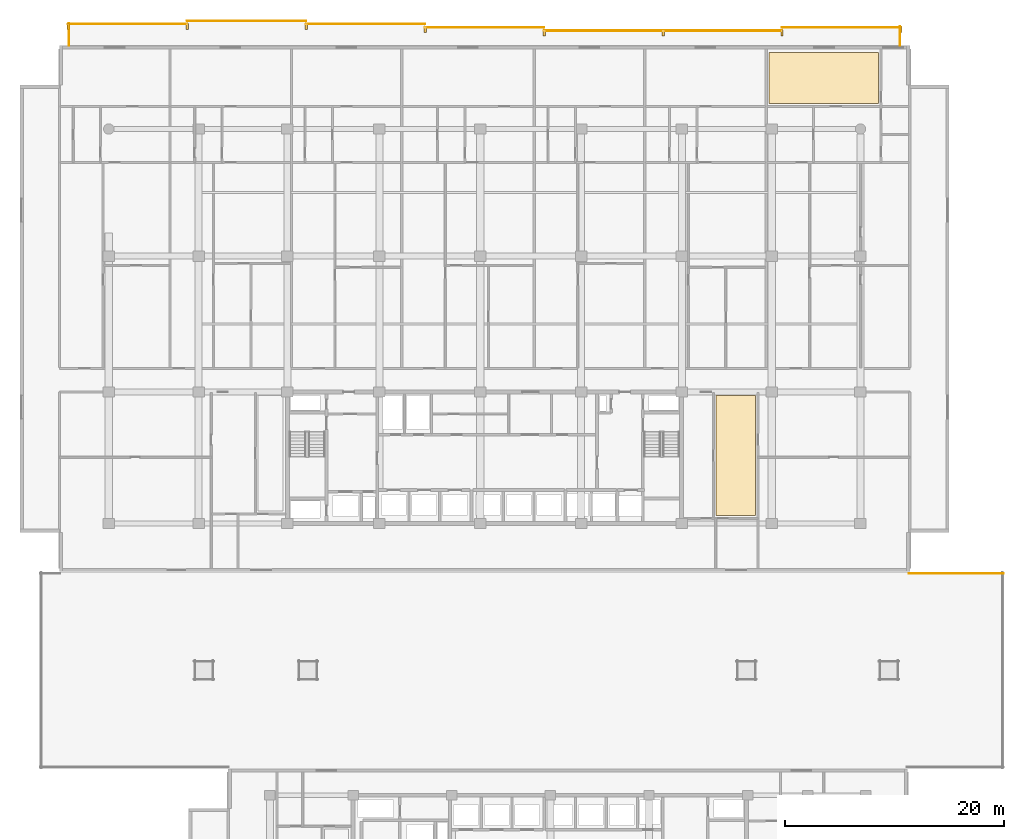
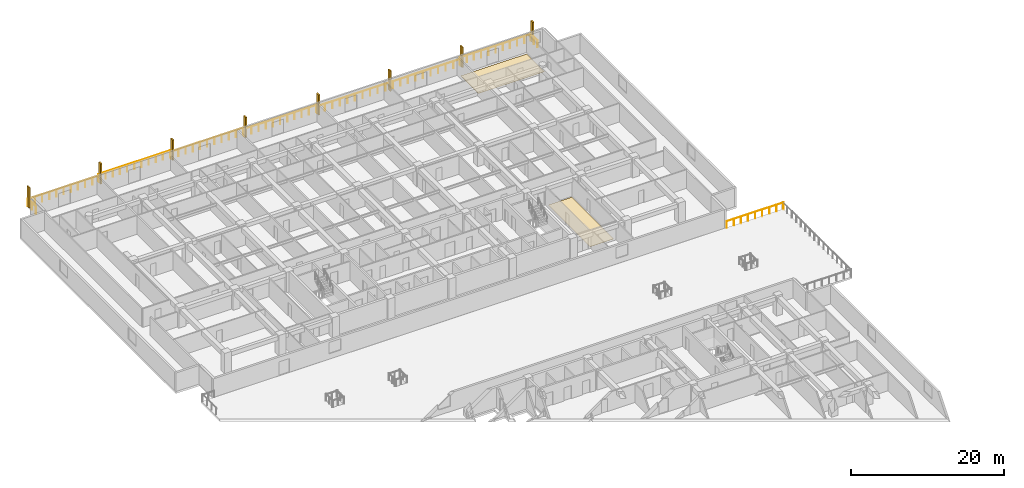
# One storey, part 24 of 24: 9 railings, 8 shading devices, 2 coverings.
"""IFC4 building model written with IfcOpenShell, lengths in metres."""

from ifc_helpers import new_model, si_unit, direction, frame, origin, origin_2d, place, context, subcontext, project, spatial, polyline, rectangle, circle, outline, extrude, material, layer, layer_set, type_object, element, save


model = new_model("IFC4")

# Units and contexts
model_context = context("Model", 3, precision=1e-05, world=origin(), true_north=direction((0.0, 1.0)))
body_context = subcontext(model_context, "Body", "Model", "MODEL_VIEW")
ifc_project = project(units=[si_unit("LENGTHUNIT", "METRE"), si_unit("AREAUNIT", "SQUARE_METRE"), si_unit("VOLUMEUNIT", "CUBIC_METRE"), si_unit("PLANEANGLEUNIT", "RADIAN"), si_unit("MASSUNIT", "GRAM", prefix="KILO")], contexts=[model_context])

# Site, building, storey
site_placement = place(None, origin())
site = spatial("IfcSite", under=ifc_project, at=site_placement, CompositionType="ELEMENT")
building_placement = place(site_placement, origin())
building = spatial("IfcBuilding", under=site, at=building_placement, Name="Korimba Cascade Residences", CompositionType="ELEMENT")
storey_placement = place(building_placement, frame((0.0, 0.0, 24.0)))
storey = spatial("IfcBuildingStorey", under=building, at=storey_placement, Name="L05", CompositionType="ELEMENT", Elevation=24.0)

# Coverings
ifc_material_1 = material(Name="Engineered Spotted-Gum Timber Flooring", Category="wood")
ifc_layer = layer(ifc_material_1, 0.02001953125)
ifc_layer_set = layer_set([ifc_layer], Name="Engineered Spotted-Gum Timber Flooring")
covering_type = type_object("IfcCoveringType", Name="COV-FLR-TIM", PredefinedType="FLOORING", material=ifc_layer_set)
covering_1_placement = place(storey_placement, origin())
element("IfcCovering", 1, at=covering_1_placement, inside=storey, type_object=covering_type, Name="L05 Spotted-Gum Timber Flooring L05-T1-FE-L", PredefinedType="FLOORING", context=body_context, shape_type="SweptSolid", body=[
    extrude(outline(polyline([(115.22998046875, 55.919921875), (118.800048828125, 55.919921875), (118.800048828125, 66.89990234375), (115.22998046875, 66.89990234375), (115.22998046875, 55.919921875)])), origin(), (0.0, 0.0, 1.0), 0.02001953125),
])
covering_2_placement = place(storey_placement, origin())
element("IfcCovering", 2, at=covering_2_placement, inside=storey, type_object=covering_type, Name="L05 Spotted-Gum Timber Flooring L05-T1-U07-L", PredefinedType="FLOORING", context=body_context, shape_type="SweptSolid", body=[
    extrude(outline(polyline([(120.068603515625, 93.52001953125), (130.050048828125, 93.52001953125), (130.050048828125, 98.179931640625), (120.068603515625, 98.179931640625), (120.068603515625, 93.52001953125)])), origin(), (0.0, 0.0, 1.0), 0.02001953125),
])

# Railings
ifc_material_2 = material(Name="Laminated Glass and Bronze Balustrade", Category="glass")
railing_type_1 = type_object("IfcRailingType", Name="RLG-LOG-1150", PredefinedType="BALUSTRADE", material=ifc_material_2)
railing_1_placement = place(storey_placement, frame((132.02001953125, 98.800048828125, 0.0)))
element("IfcRailing", 3, at=railing_1_placement, inside=storey, type_object=railing_type_1, Name="L05 Perimeter Guardrail RLG-L05-T1-LOG-01", PredefinedType="BALUSTRADE", context=body_context, shape_type="SweptSolid", body=[
    extrude(circle(Radius=0.02392578125, at=origin_2d()), frame((0.0, 0.0, 1.1259765625), z_axis=(0.0, 1.0, 0.0), x_axis=(-1.0, 0.0, 0.0)), (0.0, 0.0, 1.0), 1.75),
    extrude(circle(Radius=0.02099609375, at=origin_2d()), origin(), (0.0, 0.0, 1.0), 1.101806640625),
    extrude(circle(Radius=0.02099609375, at=origin_2d()), frame((0.0, 0.875, 0.0)), (0.0, 0.0, 1.0), 1.101806640625),
    extrude(circle(Radius=0.02099609375, at=origin_2d()), frame((0.0, 1.75, 0.0)), (0.0, 0.0, 1.0), 1.101806640625),
])
railing_2_placement = place(storey_placement, frame((132.10009765625, 100.469970703125, 0.0)))
element("IfcRailing", 4, at=railing_2_placement, inside=storey, type_object=railing_type_1, Name="L05 Perimeter Guardrail RLG-L05-T1-LOG-02", PredefinedType="BALUSTRADE", context=body_context, shape_type="SweptSolid", body=[
    extrude(circle(Radius=0.02392578125, at=origin_2d()), frame((0.0, 0.0, 1.1259765625), z_axis=(-1.0, 0.0, 0.0), x_axis=(0.0, -1.0, 0.0)), (0.0, 0.0, 1.0), 10.857177734375),
    extrude(circle(Radius=0.02099609375, at=origin_2d()), origin(), (0.0, 0.0, 1.0), 1.101806640625),
    extrude(circle(Radius=0.02099609375, at=origin_2d()), frame((-1.085693359375, 0.0, 0.0)), (0.0, 0.0, 1.0), 1.101806640625),
    extrude(circle(Radius=0.02099609375, at=origin_2d()), frame((-2.17138671875, 0.0, 0.0)), (0.0, 0.0, 1.0), 1.101806640625),
    extrude(circle(Radius=0.02099609375, at=origin_2d()), frame((-3.257080078125, 0.0, 0.0)), (0.0, 0.0, 1.0), 1.101806640625),
    extrude(circle(Radius=0.02099609375, at=origin_2d()), frame((-4.3427734375, 0.0, 0.0)), (0.0, 0.0, 1.0), 1.101806640625),
    extrude(circle(Radius=0.02099609375, at=origin_2d()), frame((-5.4287109375, 0.0, 0.0)), (0.0, 0.0, 1.0), 1.101806640625),
    extrude(circle(Radius=0.02099609375, at=origin_2d()), frame((-6.514404296875, 0.0, 0.0)), (0.0, 0.0, 1.0), 1.101806640625),
    extrude(circle(Radius=0.02099609375, at=origin_2d()), frame((-7.60009765625, 0.0, 0.0)), (0.0, 0.0, 1.0), 1.101806640625),
    extrude(circle(Radius=0.02099609375, at=origin_2d()), frame((-8.685791015625, 0.0, 0.0)), (0.0, 0.0, 1.0), 1.101806640625),
    extrude(circle(Radius=0.02099609375, at=origin_2d()), frame((-9.771484375, 0.0, 0.0)), (0.0, 0.0, 1.0), 1.101806640625),
    extrude(circle(Radius=0.02099609375, at=origin_2d()), frame((-10.857177734375, 0.0, 0.0)), (0.0, 0.0, 1.0), 1.101806640625),
])
railing_3_placement = place(storey_placement, frame((121.242919921875, 100.169921875, 0.0)))
element("IfcRailing", 5, at=railing_3_placement, inside=storey, type_object=railing_type_1, Name="L05 Perimeter Guardrail RLG-L05-T1-LOG-03", PredefinedType="BALUSTRADE", context=body_context, shape_type="SweptSolid", body=[
    extrude(circle(Radius=0.02392578125, at=origin_2d()), frame((0.0, 0.0, 1.1259765625), z_axis=(-1.0, 0.0, 0.0), x_axis=(0.0, -1.0, 0.0)), (0.0, 0.0, 1.0), 21.71435546875),
    extrude(circle(Radius=0.02099609375, at=origin_2d()), origin(), (0.0, 0.0, 1.0), 1.101806640625),
    extrude(circle(Radius=0.02099609375, at=origin_2d()), frame((-1.142822265625, 0.0, 0.0)), (0.0, 0.0, 1.0), 1.101806640625),
    extrude(circle(Radius=0.02099609375, at=origin_2d()), frame((-2.28564453125, 0.0, 0.0)), (0.0, 0.0, 1.0), 1.101806640625),
    extrude(circle(Radius=0.02099609375, at=origin_2d()), frame((-3.428466796875, 0.0, 0.0)), (0.0, 0.0, 1.0), 1.101806640625),
    extrude(circle(Radius=0.02099609375, at=origin_2d()), frame((-4.571533203125, 0.0, 0.0)), (0.0, 0.0, 1.0), 1.101806640625),
    extrude(circle(Radius=0.02099609375, at=origin_2d()), frame((-5.71435546875, 0.0, 0.0)), (0.0, 0.0, 1.0), 1.101806640625),
    extrude(circle(Radius=0.02099609375, at=origin_2d()), frame((-6.857177734375, 0.0, 0.0)), (0.0, 0.0, 1.0), 1.101806640625),
    extrude(circle(Radius=0.02099609375, at=origin_2d()), frame((-8.0, 0.0, 0.0)), (0.0, 0.0, 1.0), 1.101806640625),
    extrude(circle(Radius=0.02099609375, at=origin_2d()), frame((-9.142822265625, 0.0, 0.0)), (0.0, 0.0, 1.0), 1.101806640625),
    extrude(circle(Radius=0.02099609375, at=origin_2d()), frame((-10.28564453125, 0.0, 0.0)), (0.0, 0.0, 1.0), 1.101806640625),
    extrude(circle(Radius=0.02099609375, at=origin_2d()), frame((-11.4287109375, 0.0, 0.0)), (0.0, 0.0, 1.0), 1.101806640625),
    extrude(circle(Radius=0.02099609375, at=origin_2d()), frame((-12.571533203125, 0.0, 0.0)), (0.0, 0.0, 1.0), 1.101806640625),
    extrude(circle(Radius=0.02099609375, at=origin_2d()), frame((-13.71435546875, 0.0, 0.0)), (0.0, 0.0, 1.0), 1.101806640625),
    extrude(circle(Radius=0.02099609375, at=origin_2d()), frame((-14.857177734375, 0.0, 0.0)), (0.0, 0.0, 1.0), 1.101806640625),
    extrude(circle(Radius=0.02099609375, at=origin_2d()), frame((-16.0, 0.0, 0.0)), (0.0, 0.0, 1.0), 1.101806640625),
    extrude(circle(Radius=0.02099609375, at=origin_2d()), frame((-17.142822265625, 0.0, 0.0)), (0.0, 0.0, 1.0), 1.101806640625),
    extrude(circle(Radius=0.02099609375, at=origin_2d()), frame((-18.285888671875, 0.0, 0.0)), (0.0, 0.0, 1.0), 1.101806640625),
    extrude(circle(Radius=0.02099609375, at=origin_2d()), frame((-19.4287109375, 0.0, 0.0)), (0.0, 0.0, 1.0), 1.101806640625),
    extrude(circle(Radius=0.02099609375, at=origin_2d()), frame((-20.571533203125, 0.0, 0.0)), (0.0, 0.0, 1.0), 1.101806640625),
    extrude(circle(Radius=0.02099609375, at=origin_2d()), frame((-21.71435546875, 0.0, 0.0)), (0.0, 0.0, 1.0), 1.101806640625),
])
for number, where, name in (
    (6, (99.528564453125, 100.469970703125, 0.0), "L05 Perimeter Guardrail RLG-L05-T1-LOG-04"),
    (7, (88.67138671875, 100.77001953125, 0.0), "L05 Perimeter Guardrail RLG-L05-T1-LOG-05"),
    (8, (77.814208984375, 101.070068359375, 0.0), "L05 Perimeter Guardrail RLG-L05-T1-LOG-06"),
):
    element("IfcRailing", number, at=place(storey_placement, frame(where)), inside=storey, type_object=railing_type_1, Name=name, PredefinedType="BALUSTRADE", context=body_context, shape_type="SweptSolid", body=[
        extrude(circle(Radius=0.02392578125, at=origin_2d()), frame((0.0, 0.0, 1.1259765625), z_axis=(-1.0, 0.0, 0.0), x_axis=(0.0, -1.0, 0.0)), (0.0, 0.0, 1.0), 10.857177734375),
        extrude(circle(Radius=0.02099609375, at=origin_2d()), origin(), (0.0, 0.0, 1.0), 1.101806640625),
        extrude(circle(Radius=0.02099609375, at=origin_2d()), frame((-1.085693359375, 0.0, 0.0)), (0.0, 0.0, 1.0), 1.101806640625),
        extrude(circle(Radius=0.02099609375, at=origin_2d()), frame((-2.17138671875, 0.0, 0.0)), (0.0, 0.0, 1.0), 1.101806640625),
        extrude(circle(Radius=0.02099609375, at=origin_2d()), frame((-3.257080078125, 0.0, 0.0)), (0.0, 0.0, 1.0), 1.101806640625),
        extrude(circle(Radius=0.02099609375, at=origin_2d()), frame((-4.3427734375, 0.0, 0.0)), (0.0, 0.0, 1.0), 1.101806640625),
        extrude(circle(Radius=0.02099609375, at=origin_2d()), frame((-5.4287109375, 0.0, 0.0)), (0.0, 0.0, 1.0), 1.101806640625),
        extrude(circle(Radius=0.02099609375, at=origin_2d()), frame((-6.514404296875, 0.0, 0.0)), (0.0, 0.0, 1.0), 1.101806640625),
        extrude(circle(Radius=0.02099609375, at=origin_2d()), frame((-7.60009765625, 0.0, 0.0)), (0.0, 0.0, 1.0), 1.101806640625),
        extrude(circle(Radius=0.02099609375, at=origin_2d()), frame((-8.685791015625, 0.0, 0.0)), (0.0, 0.0, 1.0), 1.101806640625),
        extrude(circle(Radius=0.02099609375, at=origin_2d()), frame((-9.771484375, 0.0, 0.0)), (0.0, 0.0, 1.0), 1.101806640625),
        extrude(circle(Radius=0.02099609375, at=origin_2d()), frame((-10.857177734375, 0.0, 0.0)), (0.0, 0.0, 1.0), 1.101806640625),
    ])
railing_4_placement = place(storey_placement, frame((66.95703125, 100.77001953125, 0.0)))
element("IfcRailing", 9, at=railing_4_placement, inside=storey, type_object=railing_type_1, Name="L05 Perimeter Guardrail RLG-L05-T1-LOG-07", PredefinedType="BALUSTRADE", context=body_context, shape_type="SweptSolid", body=[
    extrude(circle(Radius=0.02392578125, at=origin_2d()), frame((0.0, 0.0, 1.1259765625), z_axis=(-1.0, 0.0, 0.0), x_axis=(0.0, -1.0, 0.0)), (0.0, 0.0, 1.0), 10.85693359375),
    extrude(circle(Radius=0.02099609375, at=origin_2d()), origin(), (0.0, 0.0, 1.0), 1.101806640625),
    extrude(circle(Radius=0.02099609375, at=origin_2d()), frame((-1.085693359375, 0.0, 0.0)), (0.0, 0.0, 1.0), 1.101806640625),
    extrude(circle(Radius=0.02099609375, at=origin_2d()), frame((-2.17138671875, 0.0, 0.0)), (0.0, 0.0, 1.0), 1.101806640625),
    extrude(circle(Radius=0.02099609375, at=origin_2d()), frame((-3.257080078125, 0.0, 0.0)), (0.0, 0.0, 1.0), 1.101806640625),
    extrude(circle(Radius=0.02099609375, at=origin_2d()), frame((-4.3427734375, 0.0, 0.0)), (0.0, 0.0, 1.0), 1.101806640625),
    extrude(circle(Radius=0.02099609375, at=origin_2d()), frame((-5.428466796875, 0.0, 0.0)), (0.0, 0.0, 1.0), 1.101806640625),
    extrude(circle(Radius=0.02099609375, at=origin_2d()), frame((-6.51416015625, 0.0, 0.0)), (0.0, 0.0, 1.0), 1.101806640625),
    extrude(circle(Radius=0.02099609375, at=origin_2d()), frame((-7.599853515625, 0.0, 0.0)), (0.0, 0.0, 1.0), 1.101806640625),
    extrude(circle(Radius=0.02099609375, at=origin_2d()), frame((-8.685546875, 0.0, 0.0)), (0.0, 0.0, 1.0), 1.101806640625),
    extrude(circle(Radius=0.02099609375, at=origin_2d()), frame((-9.771240234375, 0.0, 0.0)), (0.0, 0.0, 1.0), 1.101806640625),
    extrude(circle(Radius=0.02099609375, at=origin_2d()), frame((-10.85693359375, 0.0, 0.0)), (0.0, 0.0, 1.0), 1.101806640625),
])
railing_5_placement = place(storey_placement, frame((56.179931640625, 100.85009765625, 0.0)))
element("IfcRailing", 10, at=railing_5_placement, inside=storey, type_object=railing_type_1, Name="L05 Perimeter Guardrail RLG-L05-T1-LOG-08", PredefinedType="BALUSTRADE", context=body_context, shape_type="SweptSolid", body=[
    extrude(circle(Radius=0.02392578125, at=origin_2d()), frame((0.0, 0.0, 1.1259765625), z_axis=(0.0, -1.0, 0.0), x_axis=(1.0, 0.0, 0.0)), (0.0, 0.0, 1.0), 2.050048828125),
    extrude(circle(Radius=0.02099609375, at=origin_2d()), origin(), (0.0, 0.0, 1.0), 1.101806640625),
    extrude(circle(Radius=0.02099609375, at=origin_2d()), frame((0.0, -1.02490234375, 0.0)), (0.0, 0.0, 1.0), 1.101806640625),
    extrude(circle(Radius=0.02099609375, at=origin_2d()), frame((0.0, -2.050048828125, 0.0)), (0.0, 0.0, 1.0), 1.101806640625),
])
ifc_material_3 = material(Name="Painted Galvanised Steel Terrace Guardrail", Category="steel")
railing_type_2 = type_object("IfcRailingType", Name="RLG-TER-1150", PredefinedType="GUARDRAIL", material=ifc_material_3)
railing_6_placement = place(storey_placement, frame((141.43994140625, 50.639892578125, 0.0)))
element("IfcRailing", 11, at=railing_6_placement, inside=storey, type_object=railing_type_2, Name="L05 Perimeter Guardrail RLG-L05-PODRF-04", PredefinedType="GUARDRAIL", context=body_context, shape_type="SweptSolid", body=[
    extrude(circle(Radius=0.02392578125, at=origin_2d()), frame((0.0, 0.0, 1.1259765625), z_axis=(-1.0, 0.0, 0.0), x_axis=(0.0, -1.0, 0.0)), (0.0, 0.0, 1.0), 8.58984375),
    extrude(circle(Radius=0.02099609375, at=origin_2d()), origin(), (0.0, 0.0, 1.0), 1.101806640625),
    extrude(circle(Radius=0.02099609375, at=origin_2d()), frame((-1.07373046875, 0.0, 0.0)), (0.0, 0.0, 1.0), 1.101806640625),
    extrude(circle(Radius=0.02099609375, at=origin_2d()), frame((-2.1474609375, 0.0, 0.0)), (0.0, 0.0, 1.0), 1.101806640625),
    extrude(circle(Radius=0.02099609375, at=origin_2d()), frame((-3.22119140625, 0.0, 0.0)), (0.0, 0.0, 1.0), 1.101806640625),
    extrude(circle(Radius=0.02099609375, at=origin_2d()), frame((-4.294921875, 0.0, 0.0)), (0.0, 0.0, 1.0), 1.101806640625),
    extrude(circle(Radius=0.02099609375, at=origin_2d()), frame((-5.36865234375, 0.0, 0.0)), (0.0, 0.0, 1.0), 1.101806640625),
    extrude(circle(Radius=0.02099609375, at=origin_2d()), frame((-6.4423828125, 0.0, 0.0)), (0.0, 0.0, 1.0), 1.101806640625),
    extrude(circle(Radius=0.02099609375, at=origin_2d()), frame((-7.51611328125, 0.0, 0.0)), (0.0, 0.0, 1.0), 1.101806640625),
    extrude(circle(Radius=0.02099609375, at=origin_2d()), frame((-8.58984375, 0.0, 0.0)), (0.0, 0.0, 1.0), 1.101806640625),
])

# Shading devices
ifc_material_4 = material(Name="Honed Sandstone Precast Fin", Category="masonry")
shading_device_type = type_object("IfcShadingDeviceType", Name="SHD-FIN-550", PredefinedType="USERDEFINED", material=ifc_material_4)
for number, where, z_axis, x_axis, name in (
    (12, (56.10009765625, 100.574951171875, 0.0), (0.0, 0.0, 1.0), (1.0, 0.0, 0.0), "L05 T1 Warm-Stone Loggia Fin 1"),
    (13, (66.95703125, 100.574951171875, 0.0), (0.0, 0.0, 1.0), (1.0, 0.0, 0.0), "L05 T1 Warm-Stone Loggia Fin 2"),
    (14, (77.814208984375, 100.574951171875, 0.0), (0.0, 0.0, 1.0), (1.0, 0.0, 0.0), "L05 T1 Warm-Stone Loggia Fin 3"),
    (15, (88.67138671875, 100.27490234375, 0.0), (0.0, 0.0, 1.0), (1.0, 0.0, 0.0), "L05 T1 Warm-Stone Loggia Fin 4"),
    (16, (99.528564453125, 99.97509765625, 0.0), (0.0, 0.0, 1.0), (1.0, 0.0, 0.0), "L05 T1 Warm-Stone Loggia Fin 5"),
    (17, (110.3857421875, 99.97509765625, 0.0), (0.0, 0.0, 1.0), (1.0, 0.0, 0.0), "L05 T1 Warm-Stone Loggia Fin 6"),
    (18, (121.242919921875, 99.97509765625, 0.0), (0.0, 0.0, 1.0), (1.0, 0.0, 0.0), "L05 T1 Warm-Stone Loggia Fin 7"),
    (19, (132.10009765625, 100.27490234375, 0.0), (0.0, 0.0, 1.0), (1.0, 0.0, 0.0), "L05 T1 Warm-Stone Loggia Fin 8"),
):
    element("IfcShadingDevice", number, at=place(storey_placement, frame(where, z_axis=z_axis, x_axis=x_axis)), inside=storey, type_object=shading_device_type, Name=name, ObjectType="FIN", PredefinedType="USERDEFINED", context=body_context, shape_type="SweptSolid", body=[
        extrude(rectangle(XDim=0.219970703125, YDim=0.550048828125, at=origin_2d()), origin(), (0.0, 0.0, 1.0), 3.25),
    ])

save(model, "model.ifc")
